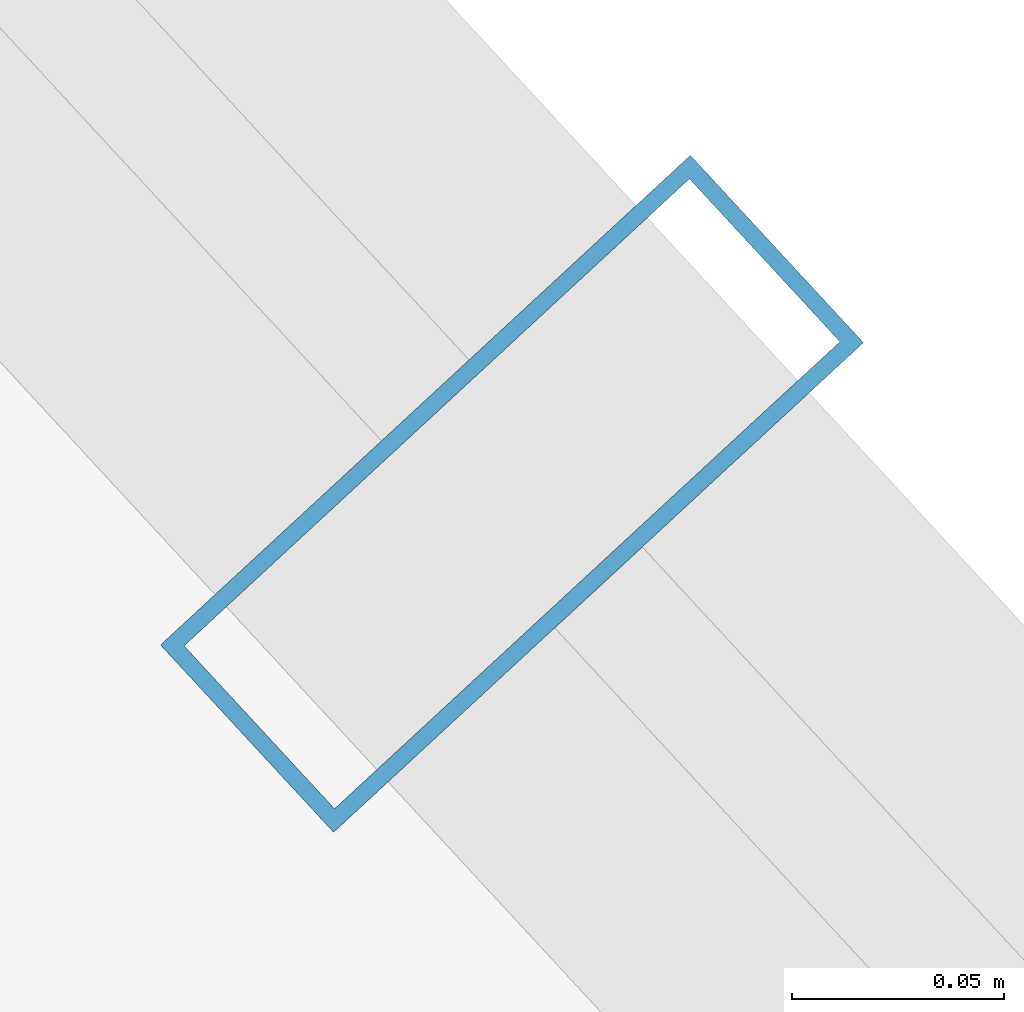
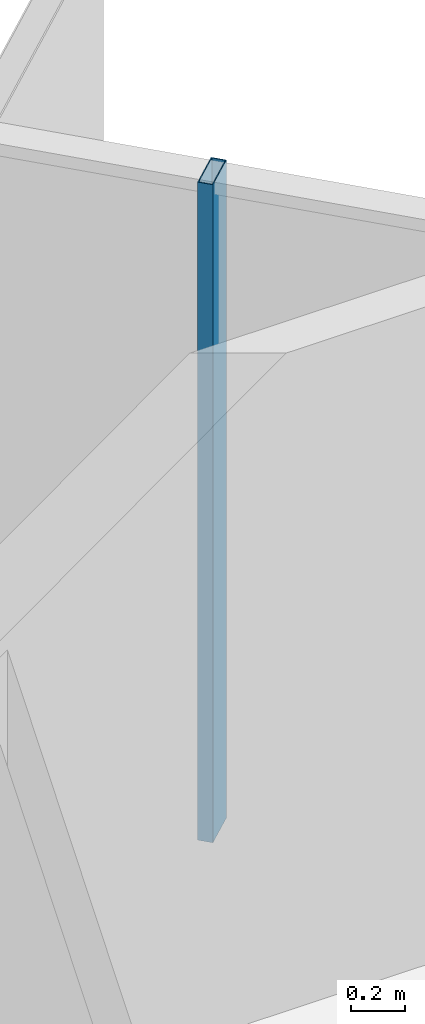
# One storey, part 32 of 39: 1 member, 1 element without a shape of its own.
"""IFC4 building model written with IfcOpenShell, lengths in metres."""

from ifc_helpers import new_model, si_unit, direction, frame, origin, origin_2d, place, context, subcontext, project, spatial, hollow_rectangle, extrude, source, transform, mapped, material, layer, layer_set, material_profile, profile_set, type_object, element, aggregate, save


model = new_model("IFC4")

# Units and contexts
model_context = context("Model", 3, precision=1e-05, world=origin(), true_north=direction((0.0, 1.0)))
body_context = subcontext(model_context, "Body", "Model", "MODEL_VIEW")
ifc_project = project(units=[si_unit("LENGTHUNIT", "METRE"), si_unit("AREAUNIT", "SQUARE_METRE"), si_unit("VOLUMEUNIT", "CUBIC_METRE"), si_unit("PLANEANGLEUNIT", "RADIAN"), si_unit("MASSUNIT", "GRAM", prefix="KILO")], contexts=[model_context])

# Site, building, storey
site_placement = place(None, origin())
site = spatial("IfcSite", under=ifc_project, at=site_placement, CompositionType="ELEMENT")
building_placement = place(site_placement, origin())
building = spatial("IfcBuilding", under=site, at=building_placement, Name="Veraguas Prism Commons", CompositionType="ELEMENT")
storey_placement = place(building_placement, frame((0.0, 0.0, 67.35009765625)))
storey = spatial("IfcBuildingStorey", under=building, at=storey_placement, Name="L18", CompositionType="ELEMENT", Elevation=67.35009765625)

# Curtain wall, member
ifc_material = material(Name="Anodised aluminium EN AW-6063 T6", Category="aluminium")
ifc_layer = layer(ifc_material, 0.169921875, Name="Unitised Flush Curtain Wall Zone 1", Category="aluminium")
ifc_layer_set = layer_set([ifc_layer], Name="Anodised aluminium EN AW-6063 T6")
curtain_wall_type = type_object("IfcCurtainWallType", Name="Unitised Flush Curtain Wall Zone 1", PredefinedType="NOTDEFINED", material=ifc_layer_set)
curtain_wall_placement = place(storey_placement, origin())
curtain_wall = element("IfcCurtainWall", 1, at=curtain_wall_placement, inside=storey, type_object=curtain_wall_type, Name="Tower Facade Curtain Wall L18-F1", PredefinedType="NOTDEFINED")
ifc_material_profile = material_profile(ifc_material, hollow_rectangle(XDim=0.06005859375, YDim=0.169921875, WallThickness=0.00390625, at=origin_2d()), Name="AL60X170X4")
ifc_profile_set = profile_set([ifc_material_profile], Name="Anodised aluminium EN AW-6063 T6")
member_type = type_object("IfcMemberType", Name="Curtain Wall Mullion Lower AL 60x170x4", PredefinedType="MULLION", material=ifc_profile_set)
shared_shape = source(origin(), body_context, "Body", "SweptSolid", [
    extrude(hollow_rectangle(XDim=0.06005859375, YDim=0.169921875, WallThickness=0.00390625, at=origin_2d()), origin(), (0.0, 0.0, 1.0), 3.0),
])
member_placement = place(storey_placement, frame((42.43505859375, 34.675537109375, 0.0), z_axis=(0.0, 0.0, 1.0), x_axis=(-0.678677699088, 0.734436233284, 0.0)))
member = element("IfcMember", 2, at=member_placement, type_object=member_type, Name="CW-Z1 Mullion 2", PredefinedType="MULLION", context=body_context, shape_type="MappedRepresentation", body=[
    mapped(shared_shape, transform((0.0, 0.0, 0.0), scale=1.0)),
])
aggregate(curtain_wall, [member])

save(model, "model.ifc")
